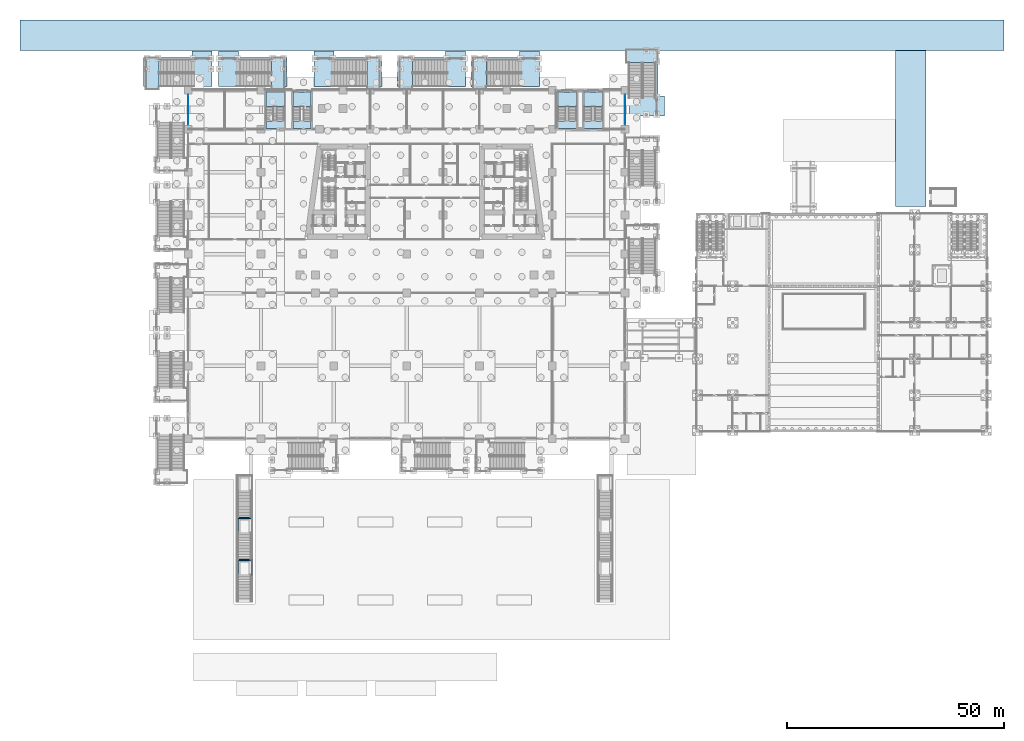
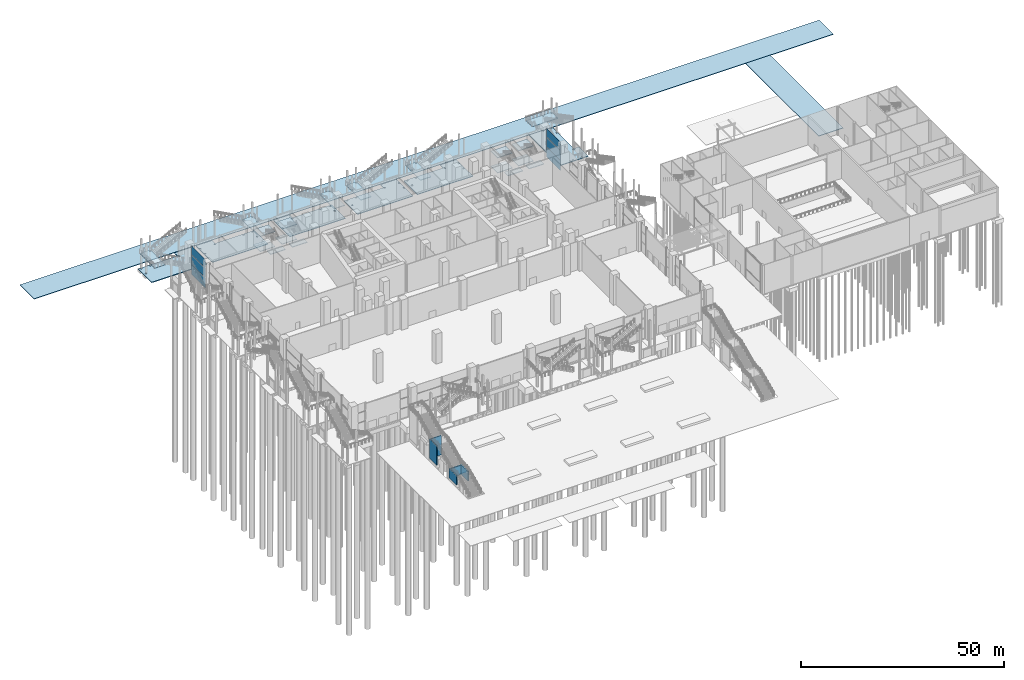
# One storey, part 38 of 72: 26 slabs, 6 plates, 5 walls, 12 elements without a shape of their own.
"""IFC4 building model written with IfcOpenShell, lengths in metres."""

from ifc_helpers import new_model, si_unit, direction, frame, frame_2d, origin, origin_2d, place, context, subcontext, project, spatial, polyline, rectangle, outline, extrude, material, layer, layer_set, type_object, element, aggregate, save


model = new_model("IFC4")

# Units and contexts
model_context = context("Model", 3, precision=1e-05, world=origin(), true_north=direction((0.0, 1.0)))
body_context = subcontext(model_context, "Body", "Model", "MODEL_VIEW")
ifc_project = project(units=[si_unit("LENGTHUNIT", "METRE"), si_unit("AREAUNIT", "SQUARE_METRE"), si_unit("VOLUMEUNIT", "CUBIC_METRE"), si_unit("PLANEANGLEUNIT", "RADIAN"), si_unit("MASSUNIT", "GRAM", prefix="KILO")], contexts=[model_context])

# Site, building, storey
site_placement = place(None, origin())
site = spatial("IfcSite", under=ifc_project, at=site_placement, CompositionType="ELEMENT")
building_placement = place(site_placement, origin())
building = spatial("IfcBuilding", under=site, at=building_placement, Name="Candeia Pilgrim Tower and Theatre", CompositionType="ELEMENT")
storey_placement = place(building_placement, origin())
storey = spatial("IfcBuildingStorey", under=building, at=storey_placement, Name="L00", CompositionType="ELEMENT", Elevation=0.0)

# Curtain wall, plates
ifc_material_1 = material(Name="Aluminium framed podium glazing", Category="aluminium")
curtain_wall_type = type_object("IfcCurtainWallType", Name="CW-P curtain wall", PredefinedType="NOTDEFINED", material=ifc_material_1)
curtain_wall_1_placement = place(storey_placement, origin())
curtain_wall_1 = element("IfcCurtainWall", 1, at=curtain_wall_1_placement, inside=storey, type_object=curtain_wall_type, Name="Curtain wall CW-P L00.060", PredefinedType="NOTDEFINED")
ifc_material_2 = material(Name="Laminated low-iron glass 2 x 8 mm", Category="glass")
ifc_layer_1 = layer(ifc_material_2, 0.035888671875)
ifc_layer_set_1 = layer_set([ifc_layer_1], Name="CW-P glass panel 36")
plate_type = type_object("IfcPlateType", Name="CW-P glass panel 36", PredefinedType="CURTAIN_PANEL", material=ifc_layer_set_1)
plate_1_placement = place(storey_placement, frame((58.800048828125, 140.300048828125, 0.0), z_axis=(0.0, 0.0, 1.0), x_axis=(0.0, 1.0, 0.0)))
plate_1 = element("IfcPlate", 2, at=plate_1_placement, type_object=plate_type, Name="CW-P panel 1.1", PredefinedType="CURTAIN_PANEL", context=body_context, shape_type="SweptSolid", body=[
    extrude(rectangle(XDim=6.820068359375, YDim=0.035888671875, at=origin_2d()), origin(), (0.0, 0.0, 1.0), 2.9599609375),
])
plate_2_placement = place(storey_placement, frame((58.800048828125, 140.300048828125, 3.0400390625), z_axis=(0.0, 0.0, 1.0), x_axis=(0.0, 1.0, 0.0)))
plate_2 = element("IfcPlate", 3, at=plate_2_placement, type_object=plate_type, Name="CW-P panel 1.2", PredefinedType="CURTAIN_PANEL", context=body_context, shape_type="SweptSolid", body=[
    extrude(rectangle(XDim=6.820068359375, YDim=0.035888671875, at=origin_2d()), origin(), (0.0, 0.0, 1.0), 2.919921875),
])
plate_3_placement = place(storey_placement, frame((58.800048828125, 140.300048828125, 6.0400390625), z_axis=(0.0, 0.0, 1.0), x_axis=(0.0, 1.0, 0.0)))
plate_3 = element("IfcPlate", 4, at=plate_3_placement, type_object=plate_type, Name="CW-P panel 1.3", PredefinedType="CURTAIN_PANEL", context=body_context, shape_type="SweptSolid", body=[
    extrude(rectangle(XDim=6.820068359375, YDim=0.035888671875, at=origin_2d()), origin(), (0.0, 0.0, 1.0), 2.4599609375),
])
aggregate(curtain_wall_1, [plate_1, plate_2, plate_3])

curtain_wall_2_placement = place(storey_placement, origin())
curtain_wall_2 = element("IfcCurtainWall", 5, at=curtain_wall_2_placement, inside=storey, type_object=curtain_wall_type, Name="Curtain wall CW-P L00.200", PredefinedType="NOTDEFINED")
plate_4_placement = place(storey_placement, frame((159.60009765625, 140.300048828125, 0.0), z_axis=(0.0, 0.0, 1.0), x_axis=(0.0, -1.0, 0.0)))
plate_4 = element("IfcPlate", 6, at=plate_4_placement, type_object=plate_type, Name="CW-P panel 1.1", PredefinedType="CURTAIN_PANEL", context=body_context, shape_type="SweptSolid", body=[
    extrude(rectangle(XDim=6.820068359375, YDim=0.035888671875, at=origin_2d()), origin(), (0.0, 0.0, 1.0), 2.9599609375),
])
plate_5_placement = place(storey_placement, frame((159.60009765625, 140.300048828125, 3.0400390625), z_axis=(0.0, 0.0, 1.0), x_axis=(0.0, -1.0, 0.0)))
plate_5 = element("IfcPlate", 7, at=plate_5_placement, type_object=plate_type, Name="CW-P panel 1.2", PredefinedType="CURTAIN_PANEL", context=body_context, shape_type="SweptSolid", body=[
    extrude(rectangle(XDim=6.820068359375, YDim=0.035888671875, at=origin_2d()), origin(), (0.0, 0.0, 1.0), 2.919921875),
])
plate_6_placement = place(storey_placement, frame((159.60009765625, 140.300048828125, 6.0400390625), z_axis=(0.0, 0.0, 1.0), x_axis=(0.0, -1.0, 0.0)))
plate_6 = element("IfcPlate", 8, at=plate_6_placement, type_object=plate_type, Name="CW-P panel 1.3", PredefinedType="CURTAIN_PANEL", context=body_context, shape_type="SweptSolid", body=[
    extrude(rectangle(XDim=6.820068359375, YDim=0.035888671875, at=origin_2d()), origin(), (0.0, 0.0, 1.0), 2.4599609375),
])
aggregate(curtain_wall_2, [plate_4, plate_5, plate_6])

# Stair, slab
ifc_material_3 = material(Name="Concrete C40/50", Category="concrete")
stair_type_1 = type_object("IfcStairType", Name="ST-EXT external escape stair", PredefinedType="HALF_TURN_STAIR", material=ifc_material_3)
stair_1_placement = place(storey_placement, origin())
stair_1 = element("IfcStair", 9, at=stair_1_placement, inside=storey, type_object=stair_type_1, Name="L00 External escape stair ES2", PredefinedType="HALF_TURN_STAIR")
ifc_layer_2 = layer(ifc_material_3, 0.199951171875)
ifc_layer_set_2 = layer_set([ifc_layer_2], Name="SL-EXT stair landing")
slab_type_1 = type_object("IfcSlabType", Name="SL-EXT stair landing", PredefinedType="LANDING", material=ifc_layer_set_2)
slab_1_placement = place(storey_placement, frame((0.0, 0.0, 4.300048828125)))
slab_1 = element("IfcSlab", 10, at=slab_1_placement, type_object=slab_type_1, Name="L00 External escape stair ES2 landing", PredefinedType="LANDING", context=body_context, shape_type="SweptSolid", body=[
    extrude(outline(polyline([(159.800048828125, 151.139892578125), (159.800048828125, 154.159912109375), (167.14990234375, 154.159912109375), (167.14990234375, 151.139892578125), (159.800048828125, 151.139892578125)]), holes=[polyline([(166.699951171875, 151.2099609375), (167.10009765625, 151.2099609375), (167.10009765625, 151.610107421875), (166.699951171875, 151.610107421875), (166.699951171875, 151.2099609375)]), polyline([(166.699951171875, 153.7099609375), (167.10009765625, 153.7099609375), (167.10009765625, 154.110107421875), (166.699951171875, 154.110107421875), (166.699951171875, 153.7099609375)]), polyline([(164.27490234375, 153.7099609375), (164.675048828125, 153.7099609375), (164.675048828125, 154.110107421875), (164.27490234375, 154.110107421875), (164.27490234375, 153.7099609375)])]), origin(), (0.0, 0.0, 1.0), 0.199951171875),
])
aggregate(stair_1, [slab_1])

stair_2_placement = place(storey_placement, origin())
stair_2 = element("IfcStair", 11, at=stair_2_placement, inside=storey, type_object=stair_type_1, Name="L00 External escape stair ES3", PredefinedType="HALF_TURN_STAIR")
slab_2_placement = place(storey_placement, frame((0.0, 0.0, 4.300048828125)))
slab_2 = element("IfcSlab", 12, at=slab_2_placement, type_object=slab_type_1, Name="L00 External escape stair ES3 landing", PredefinedType="LANDING", context=body_context, shape_type="SweptSolid", body=[
    extrude(outline(polyline([(52.06005859375, 145.0), (49.0400390625, 145.0), (49.0400390625, 152.35009765625), (52.06005859375, 152.35009765625), (52.06005859375, 145.0)]), holes=[polyline([(51.590087890625, 151.89990234375), (51.989990234375, 151.89990234375), (51.989990234375, 152.300048828125), (51.590087890625, 152.300048828125), (51.590087890625, 151.89990234375)]), polyline([(49.090087890625, 151.89990234375), (49.489990234375, 151.89990234375), (49.489990234375, 152.300048828125), (49.090087890625, 152.300048828125), (49.090087890625, 151.89990234375)]), polyline([(49.090087890625, 149.47509765625), (49.489990234375, 149.47509765625), (49.489990234375, 149.875), (49.090087890625, 149.875), (49.090087890625, 149.47509765625)])]), origin(), (0.0, 0.0, 1.0), 0.199951171875),
])
aggregate(stair_2, [slab_2])

stair_3_placement = place(storey_placement, origin())
stair_3 = element("IfcStair", 13, at=stair_3_placement, inside=storey, type_object=stair_type_1, Name="L00 External escape stair ES4", PredefinedType="HALF_TURN_STAIR")
slab_3_placement = place(storey_placement, frame((0.0, 0.0, 4.300048828125)))
slab_3 = element("IfcSlab", 14, at=slab_3_placement, type_object=slab_type_1, Name="L00 External escape stair ES4 landing", PredefinedType="LANDING", context=body_context, shape_type="SweptSolid", body=[
    extrude(outline(polyline([(78.0400390625, 145.0), (81.06005859375, 145.0), (81.06005859375, 152.35009765625), (78.0400390625, 152.35009765625), (78.0400390625, 145.0)]), holes=[polyline([(78.110107421875, 151.89990234375), (78.510009765625, 151.89990234375), (78.510009765625, 152.300048828125), (78.110107421875, 152.300048828125), (78.110107421875, 151.89990234375)]), polyline([(80.610107421875, 151.89990234375), (81.010009765625, 151.89990234375), (81.010009765625, 152.300048828125), (80.610107421875, 152.300048828125), (80.610107421875, 151.89990234375)]), polyline([(80.610107421875, 149.47509765625), (81.010009765625, 149.47509765625), (81.010009765625, 149.875), (80.610107421875, 149.875), (80.610107421875, 149.47509765625)])]), origin(), (0.0, 0.0, 1.0), 0.199951171875),
])
aggregate(stair_3, [slab_3])

stair_4_placement = place(storey_placement, origin())
stair_4 = element("IfcStair", 15, at=stair_4_placement, inside=storey, type_object=stair_type_1, Name="L00 External escape stair ES5", PredefinedType="HALF_TURN_STAIR")
slab_4_placement = place(storey_placement, frame((0.0, 0.0, 4.300048828125)))
slab_4 = element("IfcSlab", 16, at=slab_4_placement, type_object=slab_type_1, Name="L00 External escape stair ES5 landing", PredefinedType="LANDING", context=body_context, shape_type="SweptSolid", body=[
    extrude(outline(polyline([(100.0400390625, 145.0), (103.06005859375, 145.0), (103.06005859375, 152.35009765625), (100.0400390625, 152.35009765625), (100.0400390625, 145.0)]), holes=[polyline([(100.110107421875, 151.89990234375), (100.510009765625, 151.89990234375), (100.510009765625, 152.300048828125), (100.110107421875, 152.300048828125), (100.110107421875, 151.89990234375)]), polyline([(102.610107421875, 151.89990234375), (103.010009765625, 151.89990234375), (103.010009765625, 152.300048828125), (102.610107421875, 152.300048828125), (102.610107421875, 151.89990234375)]), polyline([(102.610107421875, 149.47509765625), (103.010009765625, 149.47509765625), (103.010009765625, 149.875), (102.610107421875, 149.875), (102.610107421875, 149.47509765625)])]), origin(), (0.0, 0.0, 1.0), 0.199951171875),
])
aggregate(stair_4, [slab_4])

stair_5_placement = place(storey_placement, origin())
stair_5 = element("IfcStair", 17, at=stair_5_placement, inside=storey, type_object=stair_type_1, Name="L00 External escape stair ES6", PredefinedType="HALF_TURN_STAIR")
slab_5_placement = place(storey_placement, frame((0.0, 0.0, 4.300048828125)))
slab_5 = element("IfcSlab", 18, at=slab_5_placement, type_object=slab_type_1, Name="L00 External escape stair ES6 landing", PredefinedType="LANDING", context=body_context, shape_type="SweptSolid", body=[
    extrude(outline(polyline([(110.56005859375, 145.0), (107.5400390625, 145.0), (107.5400390625, 152.35009765625), (110.56005859375, 152.35009765625), (110.56005859375, 145.0)]), holes=[polyline([(110.090087890625, 151.89990234375), (110.489990234375, 151.89990234375), (110.489990234375, 152.300048828125), (110.090087890625, 152.300048828125), (110.090087890625, 151.89990234375)]), polyline([(107.590087890625, 151.89990234375), (107.989990234375, 151.89990234375), (107.989990234375, 152.300048828125), (107.590087890625, 152.300048828125), (107.590087890625, 151.89990234375)]), polyline([(107.590087890625, 149.47509765625), (107.989990234375, 149.47509765625), (107.989990234375, 149.875), (107.590087890625, 149.875), (107.590087890625, 149.47509765625)])]), origin(), (0.0, 0.0, 1.0), 0.199951171875),
])
aggregate(stair_5, [slab_5])

stair_6_placement = place(storey_placement, origin())
stair_6 = element("IfcStair", 19, at=stair_6_placement, inside=storey, type_object=stair_type_1, Name="L00 External escape stair ES7", PredefinedType="HALF_TURN_STAIR")
slab_6_placement = place(storey_placement, frame((0.0, 0.0, 4.300048828125)))
slab_6 = element("IfcSlab", 20, at=slab_6_placement, type_object=slab_type_1, Name="L00 External escape stair ES7 landing", PredefinedType="LANDING", context=body_context, shape_type="SweptSolid", body=[
    extrude(outline(polyline([(127.56005859375, 145.0), (124.5400390625, 145.0), (124.5400390625, 152.35009765625), (127.56005859375, 152.35009765625), (127.56005859375, 145.0)]), holes=[polyline([(127.090087890625, 151.89990234375), (127.489990234375, 151.89990234375), (127.489990234375, 152.300048828125), (127.090087890625, 152.300048828125), (127.090087890625, 151.89990234375)]), polyline([(124.590087890625, 151.89990234375), (124.989990234375, 151.89990234375), (124.989990234375, 152.300048828125), (124.590087890625, 152.300048828125), (124.590087890625, 151.89990234375)]), polyline([(124.590087890625, 149.47509765625), (124.989990234375, 149.47509765625), (124.989990234375, 149.875), (124.590087890625, 149.875), (124.590087890625, 149.47509765625)])]), origin(), (0.0, 0.0, 1.0), 0.199951171875),
])
aggregate(stair_6, [slab_6])

# Stair, slabs
stair_type_2 = type_object("IfcStairType", Name="ST-POD dog-leg escape stair", PredefinedType="HALF_TURN_STAIR", material=ifc_material_3)
stair_7_placement = place(storey_placement, origin())
stair_7 = element("IfcStair", 21, at=stair_7_placement, inside=storey, type_object=stair_type_2, Name="L00 Escape stair PS1", PredefinedType="HALF_TURN_STAIR")
ifc_layer_3 = layer(ifc_material_3, 0.199951171875)
ifc_layer_set_3 = layer_set([ifc_layer_3], Name="SL-POD stair landing")
slab_type_2 = type_object("IfcSlabType", Name="SL-POD stair landing", PredefinedType="LANDING", material=ifc_layer_set_3)
slab_7_placement = place(storey_placement, frame((0.0, 0.0, 2.050048828125)))
slab_7 = element("IfcSlab", 22, at=slab_7_placement, type_object=slab_type_2, Name="PS1 landing 1", PredefinedType="LANDING", context=body_context, shape_type="SweptSolid", body=[
    extrude(outline(polyline([(80.97509765625, 141.0849609375), (80.97509765625, 144.425048828125), (76.72509765625, 144.425048828125), (76.72509765625, 141.0849609375), (80.97509765625, 141.0849609375)])), origin(), (0.0, 0.0, 1.0), 0.199951171875),
])
slab_8_placement = place(storey_placement, frame((0.0, 0.0, 4.300048828125)))
slab_8 = element("IfcSlab", 23, at=slab_8_placement, type_object=slab_type_2, Name="PS1 landing 2", PredefinedType="LANDING", context=body_context, shape_type="SweptSolid", body=[
    extrude(outline(polyline([(80.97509765625, 135.925048828125), (80.97509765625, 137.72509765625), (76.72509765625, 137.72509765625), (76.72509765625, 135.925048828125), (80.97509765625, 135.925048828125)])), origin(), (0.0, 0.0, 1.0), 0.199951171875),
])
slab_9_placement = place(storey_placement, frame((0.0, 0.0, 6.550048828125)))
slab_9 = element("IfcSlab", 24, at=slab_9_placement, type_object=slab_type_2, Name="PS1 landing 3", PredefinedType="LANDING", context=body_context, shape_type="SweptSolid", body=[
    extrude(outline(polyline([(80.97509765625, 141.0849609375), (80.97509765625, 144.425048828125), (76.72509765625, 144.425048828125), (76.72509765625, 141.0849609375), (80.97509765625, 141.0849609375)])), origin(), (0.0, 0.0, 1.0), 0.199951171875),
])
aggregate(stair_7, [slab_7, slab_8, slab_9])

stair_8_placement = place(storey_placement, origin())
stair_8 = element("IfcStair", 25, at=stair_8_placement, inside=storey, type_object=stair_type_2, Name="L00 Escape stair PS2", PredefinedType="HALF_TURN_STAIR")
slab_10_placement = place(storey_placement, frame((0.0, 0.0, 2.050048828125)))
slab_10 = element("IfcSlab", 26, at=slab_10_placement, type_object=slab_type_2, Name="PS2 landing 1", PredefinedType="LANDING", context=body_context, shape_type="SweptSolid", body=[
    extrude(outline(polyline([(87.175048828125, 141.0849609375), (87.175048828125, 144.425048828125), (82.925048828125, 144.425048828125), (82.925048828125, 141.0849609375), (87.175048828125, 141.0849609375)])), origin(), (0.0, 0.0, 1.0), 0.199951171875),
])
slab_11_placement = place(storey_placement, frame((0.0, 0.0, 4.300048828125)))
slab_11 = element("IfcSlab", 27, at=slab_11_placement, type_object=slab_type_2, Name="PS2 landing 2", PredefinedType="LANDING", context=body_context, shape_type="SweptSolid", body=[
    extrude(outline(polyline([(87.175048828125, 135.925048828125), (87.175048828125, 137.72509765625), (82.925048828125, 137.72509765625), (82.925048828125, 135.925048828125), (87.175048828125, 135.925048828125)])), origin(), (0.0, 0.0, 1.0), 0.199951171875),
])
slab_12_placement = place(storey_placement, frame((0.0, 0.0, 6.550048828125)))
slab_12 = element("IfcSlab", 28, at=slab_12_placement, type_object=slab_type_2, Name="PS2 landing 3", PredefinedType="LANDING", context=body_context, shape_type="SweptSolid", body=[
    extrude(outline(polyline([(87.175048828125, 141.0849609375), (87.175048828125, 144.425048828125), (82.925048828125, 144.425048828125), (82.925048828125, 141.0849609375), (87.175048828125, 141.0849609375)])), origin(), (0.0, 0.0, 1.0), 0.199951171875),
])
aggregate(stair_8, [slab_10, slab_11, slab_12])

stair_9_placement = place(storey_placement, origin())
stair_9 = element("IfcStair", 29, at=stair_9_placement, inside=storey, type_object=stair_type_2, Name="L00 Escape stair PS3", PredefinedType="HALF_TURN_STAIR")
slab_13_placement = place(storey_placement, frame((0.0, 0.0, 2.050048828125)))
slab_13 = element("IfcSlab", 30, at=slab_13_placement, type_object=slab_type_2, Name="PS3 landing 1", PredefinedType="LANDING", context=body_context, shape_type="SweptSolid", body=[
    extrude(outline(polyline([(148.375, 141.0849609375), (148.375, 144.425048828125), (144.125, 144.425048828125), (144.125, 141.0849609375), (148.375, 141.0849609375)])), origin(), (0.0, 0.0, 1.0), 0.199951171875),
])
slab_14_placement = place(storey_placement, frame((0.0, 0.0, 4.300048828125)))
slab_14 = element("IfcSlab", 31, at=slab_14_placement, type_object=slab_type_2, Name="PS3 landing 2", PredefinedType="LANDING", context=body_context, shape_type="SweptSolid", body=[
    extrude(outline(polyline([(148.375, 135.925048828125), (148.375, 137.72509765625), (144.125, 137.72509765625), (144.125, 135.925048828125), (148.375, 135.925048828125)])), origin(), (0.0, 0.0, 1.0), 0.199951171875),
])
slab_15_placement = place(storey_placement, frame((0.0, 0.0, 6.550048828125)))
slab_15 = element("IfcSlab", 32, at=slab_15_placement, type_object=slab_type_2, Name="PS3 landing 3", PredefinedType="LANDING", context=body_context, shape_type="SweptSolid", body=[
    extrude(outline(polyline([(148.375, 141.0849609375), (148.375, 144.425048828125), (144.125, 144.425048828125), (144.125, 141.0849609375), (148.375, 141.0849609375)])), origin(), (0.0, 0.0, 1.0), 0.199951171875),
])
aggregate(stair_9, [slab_13, slab_14, slab_15])

stair_10_placement = place(storey_placement, origin())
stair_10 = element("IfcStair", 33, at=stair_10_placement, inside=storey, type_object=stair_type_2, Name="L00 Escape stair PS4", PredefinedType="HALF_TURN_STAIR")
slab_16_placement = place(storey_placement, frame((0.0, 0.0, 2.050048828125)))
slab_16 = element("IfcSlab", 34, at=slab_16_placement, type_object=slab_type_2, Name="PS4 landing 1", PredefinedType="LANDING", context=body_context, shape_type="SweptSolid", body=[
    extrude(outline(polyline([(154.375, 141.0849609375), (154.375, 144.425048828125), (150.125, 144.425048828125), (150.125, 141.0849609375), (154.375, 141.0849609375)])), origin(), (0.0, 0.0, 1.0), 0.199951171875),
])
slab_17_placement = place(storey_placement, frame((0.0, 0.0, 4.300048828125)))
slab_17 = element("IfcSlab", 35, at=slab_17_placement, type_object=slab_type_2, Name="PS4 landing 2", PredefinedType="LANDING", context=body_context, shape_type="SweptSolid", body=[
    extrude(outline(polyline([(154.375, 135.925048828125), (154.375, 137.72509765625), (150.125, 137.72509765625), (150.125, 135.925048828125), (154.375, 135.925048828125)])), origin(), (0.0, 0.0, 1.0), 0.199951171875),
])
slab_18_placement = place(storey_placement, frame((0.0, 0.0, 6.550048828125)))
slab_18 = element("IfcSlab", 36, at=slab_18_placement, type_object=slab_type_2, Name="PS4 landing 3", PredefinedType="LANDING", context=body_context, shape_type="SweptSolid", body=[
    extrude(outline(polyline([(154.375, 141.0849609375), (154.375, 144.425048828125), (150.125, 144.425048828125), (150.125, 141.0849609375), (154.375, 141.0849609375)])), origin(), (0.0, 0.0, 1.0), 0.199951171875),
])
aggregate(stair_10, [slab_16, slab_17, slab_18])

# Slabs
ifc_material_4 = material(Name="Concrete C35/45", Category="concrete")
ifc_layer_4 = layer(ifc_material_4, 0.14990234375)
ifc_layer_set_4 = layer_set([ifc_layer_4], Name="Site paving slab 150")
slab_type_3 = type_object("IfcSlabType", Name="Site paving slab 150", PredefinedType="USERDEFINED", material=ifc_layer_set_4)
slab_19_placement = place(storey_placement, frame((0.0, 0.0, -0.14990234375)))
element("IfcSlab", 37, at=slab_19_placement, inside=storey, type_object=slab_type_3, Name="PAVING service road", ObjectType="PAVING", PredefinedType="USERDEFINED", context=body_context, shape_type="SweptSolid", body=[
    extrude(outline(polyline([(229.0, 118.0), (229.0, 154.0), (222.0, 154.0), (222.0, 118.0), (229.0, 118.0)])), origin(), (0.0, 0.0, 1.0), 0.14990234375),
])
slab_20_placement = place(storey_placement, frame((0.0, 0.0, -0.14990234375)))
element("IfcSlab", 38, at=slab_20_placement, inside=storey, type_object=slab_type_3, Name="PAVING fire appliance road", ObjectType="PAVING", PredefinedType="USERDEFINED", context=body_context, shape_type="SweptSolid", body=[
    extrude(outline(polyline([(247.0, 154.0), (247.0, 161.0), (20.0, 161.0), (20.0, 154.0), (247.0, 154.0)])), origin(), (0.0, 0.0, 1.0), 0.14990234375),
])
ifc_layer_5 = layer(ifc_material_4, 0.199951171875)
ifc_layer_set_5 = layer_set([ifc_layer_5], Name="Stair ground slab 200")
slab_type_4 = type_object("IfcSlabType", Name="Stair ground slab 200", PredefinedType="BASESLAB", material=ifc_layer_set_5)
slab_21_placement = place(storey_placement, frame((0.0, 0.0, -0.199951171875)))
element("IfcSlab", 39, at=slab_21_placement, inside=storey, type_object=slab_type_4, Name="External escape stair ES2 ground slab", PredefinedType="BASESLAB", context=body_context, shape_type="SweptSolid", body=[
    extrude(outline(polyline([(160.5, 154.0), (164.27490234375, 154.0), (164.27490234375, 153.7099609375), (164.675048828125, 153.7099609375), (164.675048828125, 154.0), (166.699951171875, 154.0), (166.699951171875, 153.7099609375), (167.10009765625, 153.7099609375), (167.10009765625, 154.0), (167.14990234375, 154.0), (167.14990234375, 143.5), (168.64990234375, 143.5), (168.64990234375, 138.89990234375), (160.5, 138.89990234375), (160.5, 143.0), (160.5, 143.5), (160.5, 154.0)]), holes=[polyline([(164.675048828125, 138.949951171875), (164.675048828125, 139.35009765625), (164.27490234375, 139.35009765625), (164.27490234375, 138.949951171875), (164.675048828125, 138.949951171875)]), polyline([(166.699951171875, 138.949951171875), (167.10009765625, 138.949951171875), (167.10009765625, 139.35009765625), (166.699951171875, 139.35009765625), (166.699951171875, 138.949951171875)]), polyline([(166.699951171875, 143.050048828125), (167.10009765625, 143.050048828125), (167.10009765625, 143.449951171875), (166.699951171875, 143.449951171875), (166.699951171875, 143.050048828125)]), polyline([(167.10009765625, 151.2099609375), (167.10009765625, 151.610107421875), (166.699951171875, 151.610107421875), (166.699951171875, 151.2099609375), (167.10009765625, 151.2099609375)])]), origin(), (0.0, 0.0, 1.0), 0.199951171875),
])
slab_22_placement = place(storey_placement, frame((0.0, 0.0, -0.199951171875)))
element("IfcSlab", 40, at=slab_22_placement, inside=storey, type_object=slab_type_4, Name="External escape stair ES3 ground slab", PredefinedType="BASESLAB", context=body_context, shape_type="SweptSolid", body=[
    extrude(outline(polyline([(48.5400390625, 152.35009765625), (59.699951171875, 152.35009765625), (59.699951171875, 153.85009765625), (64.300048828125, 153.85009765625), (64.300048828125, 145.699951171875), (60.199951171875, 145.699951171875), (59.699951171875, 145.699951171875), (48.5400390625, 145.699951171875), (48.5400390625, 152.35009765625)]), holes=[polyline([(49.489990234375, 149.47509765625), (49.489990234375, 149.875), (49.090087890625, 149.875), (49.090087890625, 149.47509765625), (49.489990234375, 149.47509765625)]), polyline([(63.85009765625, 149.47509765625), (64.25, 149.47509765625), (64.25, 149.875), (63.85009765625, 149.875), (63.85009765625, 149.47509765625)]), polyline([(49.090087890625, 151.89990234375), (49.489990234375, 151.89990234375), (49.489990234375, 152.300048828125), (49.090087890625, 152.300048828125), (49.090087890625, 151.89990234375)]), polyline([(51.989990234375, 151.89990234375), (51.989990234375, 152.300048828125), (51.590087890625, 152.300048828125), (51.590087890625, 151.89990234375), (51.989990234375, 151.89990234375)]), polyline([(59.75, 151.89990234375), (60.14990234375, 151.89990234375), (60.14990234375, 152.300048828125), (59.75, 152.300048828125), (59.75, 151.89990234375)]), polyline([(63.85009765625, 151.89990234375), (64.25, 151.89990234375), (64.25, 152.300048828125), (63.85009765625, 152.300048828125), (63.85009765625, 151.89990234375)])]), origin(), (0.0, 0.0, 1.0), 0.199951171875),
])
slab_23_placement = place(storey_placement, frame((0.0, 0.0, -0.199951171875)))
element("IfcSlab", 41, at=slab_23_placement, inside=storey, type_object=slab_type_4, Name="External escape stair ES4 ground slab", PredefinedType="BASESLAB", context=body_context, shape_type="SweptSolid", body=[
    extrude(outline(polyline([(65.800048828125, 153.85009765625), (70.39990234375, 153.85009765625), (70.39990234375, 152.35009765625), (81.56005859375, 152.35009765625), (81.56005859375, 145.699951171875), (70.39990234375, 145.699951171875), (69.89990234375, 145.699951171875), (65.800048828125, 145.699951171875), (65.800048828125, 153.85009765625)]), holes=[polyline([(66.25, 149.47509765625), (66.25, 149.875), (65.85009765625, 149.875), (65.85009765625, 149.47509765625), (66.25, 149.47509765625)]), polyline([(80.610107421875, 149.47509765625), (81.010009765625, 149.47509765625), (81.010009765625, 149.875), (80.610107421875, 149.875), (80.610107421875, 149.47509765625)]), polyline([(65.85009765625, 151.89990234375), (66.25, 151.89990234375), (66.25, 152.300048828125), (65.85009765625, 152.300048828125), (65.85009765625, 151.89990234375)]), polyline([(70.35009765625, 151.89990234375), (70.35009765625, 152.300048828125), (69.949951171875, 152.300048828125), (69.949951171875, 151.89990234375), (70.35009765625, 151.89990234375)]), polyline([(78.110107421875, 151.89990234375), (78.510009765625, 151.89990234375), (78.510009765625, 152.300048828125), (78.110107421875, 152.300048828125), (78.110107421875, 151.89990234375)]), polyline([(80.610107421875, 151.89990234375), (81.010009765625, 151.89990234375), (81.010009765625, 152.300048828125), (80.610107421875, 152.300048828125), (80.610107421875, 151.89990234375)])]), origin(), (0.0, 0.0, 1.0), 0.199951171875),
])
slab_24_placement = place(storey_placement, frame((0.0, 0.0, -0.199951171875)))
element("IfcSlab", 42, at=slab_24_placement, inside=storey, type_object=slab_type_4, Name="External escape stair ES5 ground slab", PredefinedType="BASESLAB", context=body_context, shape_type="SweptSolid", body=[
    extrude(outline(polyline([(87.800048828125, 153.85009765625), (92.39990234375, 153.85009765625), (92.39990234375, 152.35009765625), (103.56005859375, 152.35009765625), (103.56005859375, 145.699951171875), (92.39990234375, 145.699951171875), (91.89990234375, 145.699951171875), (87.800048828125, 145.699951171875), (87.800048828125, 153.85009765625)]), holes=[polyline([(88.25, 149.47509765625), (88.25, 149.875), (87.85009765625, 149.875), (87.85009765625, 149.47509765625), (88.25, 149.47509765625)]), polyline([(102.610107421875, 149.47509765625), (103.010009765625, 149.47509765625), (103.010009765625, 149.875), (102.610107421875, 149.875), (102.610107421875, 149.47509765625)]), polyline([(87.85009765625, 151.89990234375), (88.25, 151.89990234375), (88.25, 152.300048828125), (87.85009765625, 152.300048828125), (87.85009765625, 151.89990234375)]), polyline([(92.35009765625, 151.89990234375), (92.35009765625, 152.300048828125), (91.949951171875, 152.300048828125), (91.949951171875, 151.89990234375), (92.35009765625, 151.89990234375)]), polyline([(100.110107421875, 151.89990234375), (100.510009765625, 151.89990234375), (100.510009765625, 152.300048828125), (100.110107421875, 152.300048828125), (100.110107421875, 151.89990234375)]), polyline([(102.610107421875, 151.89990234375), (103.010009765625, 151.89990234375), (103.010009765625, 152.300048828125), (102.610107421875, 152.300048828125), (102.610107421875, 151.89990234375)])]), origin(), (0.0, 0.0, 1.0), 0.199951171875),
])
slab_25_placement = place(storey_placement, frame((0.0, 0.0, -0.199951171875)))
element("IfcSlab", 43, at=slab_25_placement, inside=storey, type_object=slab_type_4, Name="External escape stair ES6 ground slab", PredefinedType="BASESLAB", context=body_context, shape_type="SweptSolid", body=[
    extrude(outline(polyline([(107.0400390625, 152.35009765625), (118.199951171875, 152.35009765625), (118.199951171875, 153.85009765625), (122.800048828125, 153.85009765625), (122.800048828125, 145.699951171875), (118.699951171875, 145.699951171875), (118.199951171875, 145.699951171875), (107.0400390625, 145.699951171875), (107.0400390625, 152.35009765625)]), holes=[polyline([(107.989990234375, 149.47509765625), (107.989990234375, 149.875), (107.590087890625, 149.875), (107.590087890625, 149.47509765625), (107.989990234375, 149.47509765625)]), polyline([(122.35009765625, 149.47509765625), (122.75, 149.47509765625), (122.75, 149.875), (122.35009765625, 149.875), (122.35009765625, 149.47509765625)]), polyline([(107.590087890625, 151.89990234375), (107.989990234375, 151.89990234375), (107.989990234375, 152.300048828125), (107.590087890625, 152.300048828125), (107.590087890625, 151.89990234375)]), polyline([(110.489990234375, 151.89990234375), (110.489990234375, 152.300048828125), (110.090087890625, 152.300048828125), (110.090087890625, 151.89990234375), (110.489990234375, 151.89990234375)]), polyline([(118.25, 151.89990234375), (118.64990234375, 151.89990234375), (118.64990234375, 152.300048828125), (118.25, 152.300048828125), (118.25, 151.89990234375)]), polyline([(122.35009765625, 151.89990234375), (122.75, 151.89990234375), (122.75, 152.300048828125), (122.35009765625, 152.300048828125), (122.35009765625, 151.89990234375)])]), origin(), (0.0, 0.0, 1.0), 0.199951171875),
])
slab_26_placement = place(storey_placement, frame((0.0, 0.0, -0.199951171875)))
element("IfcSlab", 44, at=slab_26_placement, inside=storey, type_object=slab_type_4, Name="External escape stair ES7 ground slab", PredefinedType="BASESLAB", context=body_context, shape_type="SweptSolid", body=[
    extrude(outline(polyline([(124.0400390625, 152.35009765625), (135.199951171875, 152.35009765625), (135.199951171875, 153.85009765625), (139.800048828125, 153.85009765625), (139.800048828125, 145.699951171875), (135.699951171875, 145.699951171875), (135.199951171875, 145.699951171875), (124.0400390625, 145.699951171875), (124.0400390625, 152.35009765625)]), holes=[polyline([(124.989990234375, 149.47509765625), (124.989990234375, 149.875), (124.590087890625, 149.875), (124.590087890625, 149.47509765625), (124.989990234375, 149.47509765625)]), polyline([(139.35009765625, 149.47509765625), (139.75, 149.47509765625), (139.75, 149.875), (139.35009765625, 149.875), (139.35009765625, 149.47509765625)]), polyline([(124.590087890625, 151.89990234375), (124.989990234375, 151.89990234375), (124.989990234375, 152.300048828125), (124.590087890625, 152.300048828125), (124.590087890625, 151.89990234375)]), polyline([(127.489990234375, 151.89990234375), (127.489990234375, 152.300048828125), (127.090087890625, 152.300048828125), (127.090087890625, 151.89990234375), (127.489990234375, 151.89990234375)]), polyline([(135.25, 151.89990234375), (135.64990234375, 151.89990234375), (135.64990234375, 152.300048828125), (135.25, 152.300048828125), (135.25, 151.89990234375)]), polyline([(139.35009765625, 151.89990234375), (139.75, 151.89990234375), (139.75, 152.300048828125), (139.35009765625, 152.300048828125), (139.35009765625, 151.89990234375)])]), origin(), (0.0, 0.0, 1.0), 0.199951171875),
])

# Walls
ifc_layer_6 = layer(ifc_material_4, 0.300048828125)
ifc_layer_set_6 = layer_set([ifc_layer_6], Name="Retaining wall 300 C35/45")
wall_type = type_object("IfcWallType", Name="Retaining wall 300 C35/45", PredefinedType="SOLIDWALL", material=ifc_layer_set_6)
for number, where, z_axis, x_axis, name in (
    (45, (70.14990234375, 32.9599609375, 0.0), (0.0, 0.0, 1.0), (0.0, 1.0, 0.0), "Garden stair W support wall 1.1"),
    (46, (73.449951171875, 32.9599609375, 0.0), (0.0, 0.0, 1.0), (0.0, 1.0, 0.0), "Garden stair W support wall 1.2"),
):
    element("IfcWall", number, at=place(storey_placement, frame(where, z_axis=z_axis, x_axis=x_axis)), inside=storey, type_object=wall_type, Name=name, PredefinedType="SOLIDWALL", context=body_context, shape_type="SweptSolid", body=[
        extrude(rectangle(XDim=3.60009765625, YDim=0.300048828125, at=frame_2d((1.800048828125, 0.0))), origin(), (0.0, 0.0, 1.0), 2.800048828125),
    ])
wall_1_placement = place(storey_placement, frame((70.300048828125, 36.409912109375, 0.0), z_axis=(0.0, 0.0, 1.0), x_axis=(1.0, 0.0, 0.0)))
element("IfcWall", 47, at=wall_1_placement, inside=storey, type_object=wall_type, Name="Garden stair W back wall 1", PredefinedType="SOLIDWALL", context=body_context, shape_type="SweptSolid", body=[
    extrude(rectangle(XDim=3.0, YDim=0.300048828125, at=frame_2d((1.5, 0.0))), origin(), (0.0, 0.0, 1.0), 2.800048828125),
])
wall_2_placement = place(storey_placement, frame((70.14990234375, 42.679931640625, 0.0), z_axis=(0.0, 0.0, 1.0), x_axis=(0.0, 1.0, 0.0)))
element("IfcWall", 48, at=wall_2_placement, inside=storey, type_object=wall_type, Name="Garden stair W support wall 2.1", PredefinedType="SOLIDWALL", context=body_context, shape_type="SweptSolid", body=[
    extrude(rectangle(XDim=3.60009765625, YDim=0.300048828125, at=frame_2d((1.800048828125, 0.0))), origin(), (0.0, 0.0, 1.0), 5.800048828125),
])
wall_3_placement = place(storey_placement, frame((70.300048828125, 46.1298828125, 0.0), z_axis=(0.0, 0.0, 1.0), x_axis=(1.0, 0.0, 0.0)))
element("IfcWall", 49, at=wall_3_placement, inside=storey, type_object=wall_type, Name="Garden stair W back wall 2", PredefinedType="SOLIDWALL", context=body_context, shape_type="SweptSolid", body=[
    extrude(rectangle(XDim=3.0, YDim=0.300048828125, at=frame_2d((1.5, 0.0))), origin(), (0.0, 0.0, 1.0), 5.800048828125),
])

save(model, "model.ifc")
